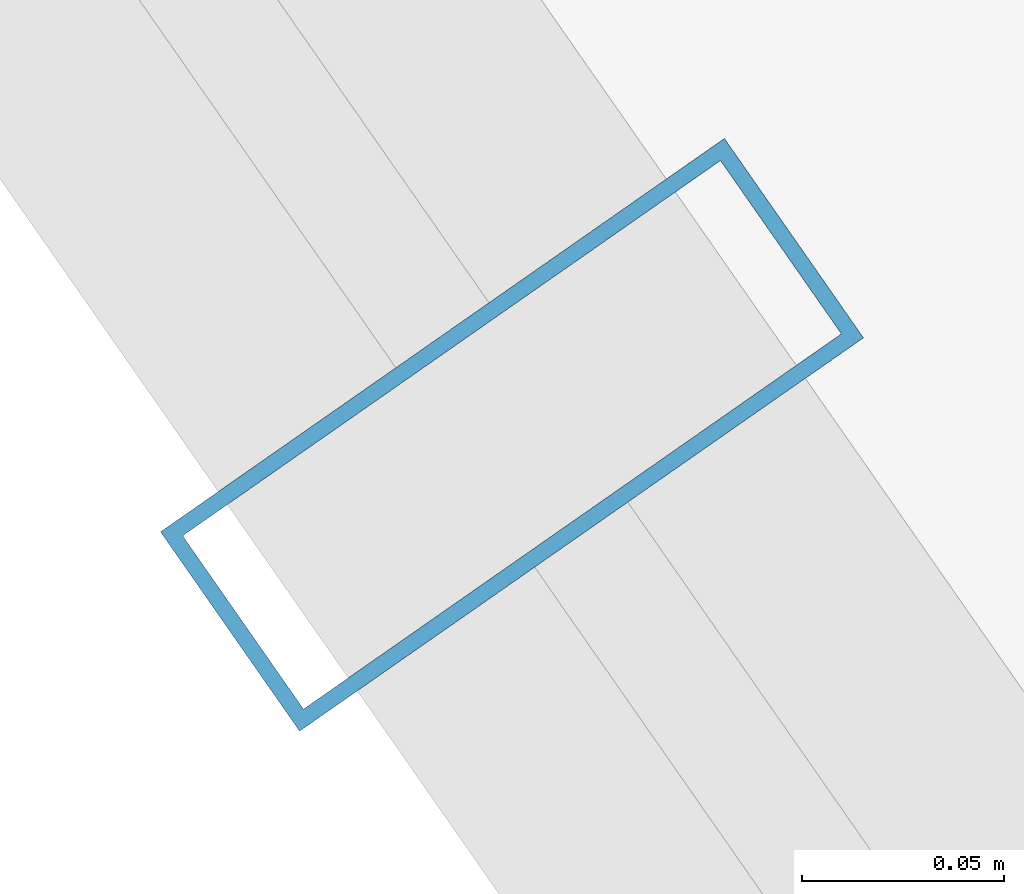
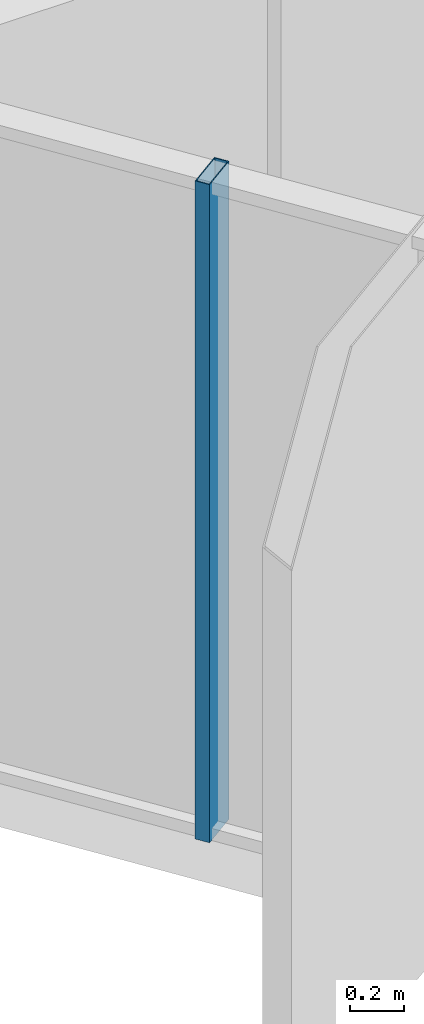
# One storey, part 4 of 37: 1 member, 1 element without a shape of its own.
"""IFC4 building model written with IfcOpenShell, lengths in metres."""

import ifcopenshell
import ifcopenshell.guid

model = None  # the IFC model being written
_history = None  # IfcOwnerHistory: only IFC2X3 demands one
_inside = {}  # id of a spatial element -> (the spatial element, [elements in it])
_under = {}  # id of a project, library or spatial element -> (it, [spatial elements below it])
_declared = {}  # id of a project -> (the project, [libraries it declares])
_typed = {}  # id of a type object -> (the type object, [elements of that type])
_made_of = {}  # id of a material, layer set ... -> (it, [elements and type objects made of it])


def new_model(schema):
    """Start an empty IFC model of exactly this schema.

    Asked for "IFC4X3", IfcOpenShell would pick the latest addendum, in which some entities
    have other attributes; the version numbers below select the first issue.
    IFC2X3 requires an IfcOwnerHistory on every rooted entity: one is made here for all.
    """
    global model, _history
    if schema == "IFC4X3":
        model = ifcopenshell.file(schema_version=(4, 3, 0, 0))
    else:
        model = ifcopenshell.file(schema=schema)
    _inside.clear()
    _under.clear()
    _declared.clear()
    _typed.clear()
    _made_of.clear()
    _history = None
    if model.schema == "IFC2X3":
        org = make("IfcOrganization", Name="unknown")
        user = make(
            "IfcPersonAndOrganization",
            ThePerson=make("IfcPerson", FamilyName="unknown"),
            TheOrganization=org,
        )
        app = make(
            "IfcApplication",
            ApplicationDeveloper=org,
            Version="unknown",
            ApplicationFullName="unknown",
            ApplicationIdentifier="unknown",
        )
        _history = make(
            "IfcOwnerHistory",
            OwningUser=user,
            OwningApplication=app,
            ChangeAction="ADDED",
            CreationDate=0,
        )
    return model


def make(cls, **values):
    """One entity of the class cls with the attributes given. An attribute that is None is left unset."""
    return model.create_entity(
        cls, **{name: value for name, value in values.items() if value is not None}
    )


def rooted(cls, **values):
    """An entity with a GlobalId (a new one), such as an element, a storey or a relation."""
    return make(cls, GlobalId=ifcopenshell.guid.new(), OwnerHistory=_history, **values)


def si_unit(unit_type, name, prefix=None):
    """IfcSIUnit, for example si_unit("LENGTHUNIT", "METRE", prefix="MILLI")."""
    return make("IfcSIUnit", UnitType=unit_type, Prefix=prefix, Name=name)


def assignment(units):
    """IfcUnitAssignment: the units of a project."""
    return None if units is None else make("IfcUnitAssignment", Units=units)


def point(xyz):
    """IfcCartesianPoint."""
    return None if xyz is None else make("IfcCartesianPoint", Coordinates=xyz)


def direction(xyz):
    """IfcDirection."""
    return None if xyz is None else make("IfcDirection", DirectionRatios=xyz)


def frame(location, z_axis=None, x_axis=None):
    """IfcAxis2Placement3D, a coordinate frame: its origin and axes. An axis left out is left unset."""
    return make(
        "IfcAxis2Placement3D",
        Location=point(location),
        Axis=direction(z_axis),
        RefDirection=direction(x_axis),
    )


def frame_2d(location, x_axis=None):
    """IfcAxis2Placement2D, a coordinate frame in the plane: its origin and x axis."""
    return make(
        "IfcAxis2Placement2D", Location=point(location), RefDirection=direction(x_axis)
    )


def origin():
    """The frame at (0, 0, 0) with its axes left unset."""
    return frame((0.0, 0.0, 0.0))


def origin_2d():
    """The frame at (0, 0) in the plane with its x axis left unset."""
    return frame_2d((0.0, 0.0))


def place(relative_to, where):
    """IfcLocalPlacement: puts the frame where relative to a parent placement (None: the world)."""
    return make(
        "IfcLocalPlacement", PlacementRelTo=relative_to, RelativePlacement=where
    )


def context(
    kind, dimensions, precision=None, world=None, true_north=None, identifier=None
):
    """IfcGeometricRepresentationContext, for example the 3D "Model" context."""
    return make(
        "IfcGeometricRepresentationContext",
        ContextIdentifier=identifier,
        ContextType=kind,
        CoordinateSpaceDimension=dimensions,
        Precision=precision,
        WorldCoordinateSystem=world,
        TrueNorth=true_north,
    )


def subcontext(parent, identifier, kind, view, scale=None):
    """IfcGeometricRepresentationSubContext, for example "Body" below "Model"."""
    return make(
        "IfcGeometricRepresentationSubContext",
        ContextIdentifier=identifier,
        ContextType=kind,
        ParentContext=parent,
        TargetScale=scale,
        TargetView=view,
    )


def project(units=None, contexts=None):
    """IfcProject with its units and contexts."""
    return rooted(
        "IfcProject",
        Name="project",
        RepresentationContexts=contexts,
        UnitsInContext=assignment(units),
    )


def spatial(cls, under=None, at=None, **own):
    """A site, building, storey or space (cls), placed at a placement, below another one or the project."""
    s = rooted(cls, ObjectPlacement=at, **own)
    if under is not None:
        _under.setdefault(under.id(), (under, []))[1].append(s)
    return s


def profile(cls, at=None, kind="AREA", **sizes):
    """A parametric profile (cls). Its sizes go by their IFC names, for example OverallWidth=200.0."""
    return make(cls, ProfileType=kind, Position=at, **sizes)


def hollow_rectangle(**sizes):
    """IfcRectangleHollowProfileDef."""
    return profile("IfcRectangleHollowProfileDef", **sizes)


def extrude(swept, where, along, depth):
    """IfcExtrudedAreaSolid: the profile swept, set in the frame where, extruded along a direction by depth."""
    return make(
        "IfcExtrudedAreaSolid",
        SweptArea=swept,
        Position=where,
        ExtrudedDirection=direction(along),
        Depth=depth,
    )


def shape(context_of_items, identifier, shape_type, items):
    """IfcShapeRepresentation: the items that make up one representation, for example the "Body"."""
    return make(
        "IfcShapeRepresentation",
        ContextOfItems=context_of_items,
        RepresentationIdentifier=identifier,
        RepresentationType=shape_type,
        Items=items,
    )


def source(mapping_origin, context_of_items, identifier, shape_type, items):
    """IfcRepresentationMap: a shape defined once, which mapped items show again and again."""
    return make(
        "IfcRepresentationMap",
        MappingOrigin=mapping_origin,
        MappedRepresentation=shape(context_of_items, identifier, shape_type, items),
    )


def transform(
    local_origin,
    x_axis=None,
    y_axis=None,
    z_axis=None,
    scale=None,
    scale2=None,
    scale3=None,
    uniform=True,
):
    """IfcCartesianTransformationOperator3D, or its non-uniform kind. x_axis, y_axis, z_axis: its Axis1, 2, 3."""
    if uniform:
        return make(
            "IfcCartesianTransformationOperator3D",
            Axis1=direction(x_axis),
            Axis2=direction(y_axis),
            LocalOrigin=point(local_origin),
            Scale=scale,
            Axis3=direction(z_axis),
        )
    return make(
        "IfcCartesianTransformationOperator3DnonUniform",
        Axis1=direction(x_axis),
        Axis2=direction(y_axis),
        LocalOrigin=point(local_origin),
        Scale=scale,
        Axis3=direction(z_axis),
        Scale2=scale2,
        Scale3=scale3,
    )


def mapped(mapping_source, mapping_target):
    """IfcMappedItem: shows the shape of a source again, moved by a transform."""
    return make(
        "IfcMappedItem", MappingSource=mapping_source, MappingTarget=mapping_target
    )


def material(Name=None, Category=None):
    """IfcMaterial."""
    return make("IfcMaterial", Name=Name, Category=Category)


def layer(
    of_material, thickness, ventilated=None, Name=None, Category=None, Priority=None
):
    """IfcMaterialLayer: one layer of a wall or slab, of a material (None: an air gap)."""
    return make(
        "IfcMaterialLayer",
        Material=of_material,
        LayerThickness=thickness,
        IsVentilated=ventilated,
        Name=Name,
        Category=Category,
        Priority=Priority,
    )


def layer_set(layers, Name=None):
    """IfcMaterialLayerSet."""
    return make("IfcMaterialLayerSet", MaterialLayers=layers, LayerSetName=Name)


def material_profile(
    of_material, cross_section, Name=None, Category=None, Priority=None
):
    """IfcMaterialProfile: a cross section and its material."""
    return make(
        "IfcMaterialProfile",
        Name=Name,
        Material=of_material,
        Profile=cross_section,
        Priority=Priority,
        Category=Category,
    )


def profile_set(profiles, Name=None, composite=None):
    """IfcMaterialProfileSet."""
    return make(
        "IfcMaterialProfileSet",
        Name=Name,
        MaterialProfiles=profiles,
        CompositeProfile=composite,
    )


def made_of(thing, what):
    """Note that an element or type object is made of a material, layer set ...; save() writes the relation."""
    if what is not None:
        _made_of.setdefault(what.id(), (what, []))[1].append(thing)
    return thing


def type_object(cls, material=None, **own):
    """A type object (cls), such as IfcWallType, which elements share."""
    return made_of(rooted(cls, **own), material)


def element(
    cls,
    number,
    at=None,
    inside=None,
    cuts=None,
    type_object=None,
    material=None,
    context=None,
    identifier="Body",
    shape_type=None,
    held_by="IfcProductDefinitionShape",
    body=None,
    shapes=None,
    **own,
):
    """One element of the class cls, such as IfcWall. Its Tag is "e" and its number.

    at: its placement. inside: the storey or other place that contains it. cuts: it is an
    opening in that element (IfcRelVoidsElement). A single representation is given by context,
    identifier, shape_type and body (its items); several are given by shapes. held_by: the class
    of the entity that holds the representations. save() writes the other relations.
    """
    e = rooted(cls, Tag="e%d" % number, ObjectPlacement=at, **own)
    if body is not None:
        shapes = [shape(context, identifier, shape_type, body)]
    if shapes is not None:
        e.Representation = make(held_by, Representations=shapes)
    if inside is not None:
        _inside.setdefault(inside.id(), (inside, []))[1].append(e)
    if cuts is not None:
        rooted(
            "IfcRelVoidsElement", RelatingBuildingElement=cuts, RelatedOpeningElement=e
        )
    if type_object is not None:
        _typed.setdefault(type_object.id(), (type_object, []))[1].append(e)
    return made_of(e, material)


def aggregate(whole, parts):
    """IfcRelAggregates: a whole, such as a stair, and the parts it consists of."""
    return rooted("IfcRelAggregates", RelatingObject=whole, RelatedObjects=parts)


def save(model, path):
    """Write the relations noted so far, then the file.

    IfcRelAggregates (storeys below a building ...), IfcRelContainedInSpatialStructure (elements
    in a storey), IfcRelDefinesByType, IfcRelAssociatesMaterial and IfcRelDeclares: one each for
    every whole, place, type object, material and project.
    """
    for whole, parts in _under.values():
        aggregate(whole, parts)
    for where, things in _inside.values():
        rooted(
            "IfcRelContainedInSpatialStructure",
            RelatedElements=things,
            RelatingStructure=where,
        )
    for kind, things in _typed.values():
        rooted("IfcRelDefinesByType", RelatedObjects=things, RelatingType=kind)
    for what, things in _made_of.values():
        rooted("IfcRelAssociatesMaterial", RelatedObjects=things, RelatingMaterial=what)
    for by, libraries in _declared.values():
        rooted("IfcRelDeclares", RelatingContext=by, RelatedDefinitions=libraries)
    model.write(path)


model = new_model("IFC4")

# Units and contexts
model_context = context("Model", 3, precision=1e-05, world=origin(), true_north=direction((0.0, 1.0)))
body_context = subcontext(model_context, "Body", "Model", "MODEL_VIEW")
ifc_project = project(units=[si_unit("LENGTHUNIT", "METRE"), si_unit("AREAUNIT", "SQUARE_METRE"), si_unit("VOLUMEUNIT", "CUBIC_METRE"), si_unit("PLANEANGLEUNIT", "RADIAN"), si_unit("MASSUNIT", "GRAM", prefix="KILO")], contexts=[model_context])

# Site, building, storey
site_placement = place(None, origin())
site = spatial("IfcSite", under=ifc_project, at=site_placement, CompositionType="ELEMENT")
building_placement = place(site_placement, origin())
building = spatial("IfcBuilding", under=site, at=building_placement, Name="Veraguas Prism Commons", CompositionType="ELEMENT")
storey_placement = place(building_placement, frame((0.0, 0.0, 40.300048828125)))
storey = spatial("IfcBuildingStorey", under=building, at=storey_placement, Name="L10", CompositionType="ELEMENT", Elevation=40.300048828125)

# Curtain wall, member
ifc_material = material(Name="Anodised aluminium EN AW-6063 T6", Category="aluminium")
ifc_layer = layer(ifc_material, 0.169921875, Name="Unitised Flush Curtain Wall Zone 1", Category="aluminium")
ifc_layer_set = layer_set([ifc_layer], Name="Anodised aluminium EN AW-6063 T6")
curtain_wall_type = type_object("IfcCurtainWallType", Name="Unitised Flush Curtain Wall Zone 1", PredefinedType="NOTDEFINED", material=ifc_layer_set)
curtain_wall_placement = place(storey_placement, origin())
curtain_wall = element("IfcCurtainWall", 1, at=curtain_wall_placement, inside=storey, type_object=curtain_wall_type, Name="Tower Facade Curtain Wall L10-F4", PredefinedType="NOTDEFINED")
ifc_material_profile = material_profile(ifc_material, hollow_rectangle(XDim=0.06005859375, YDim=0.169921875, WallThickness=0.00390625, at=origin_2d()), Name="AL60X170X4")
ifc_profile_set = profile_set([ifc_material_profile], Name="Anodised aluminium EN AW-6063 T6")
member_type = type_object("IfcMemberType", Name="Curtain Wall Mullion Lower AL 60x170x4", PredefinedType="MULLION", material=ifc_profile_set)
shared_shape = source(origin(), body_context, "Body", "SweptSolid", [
    extrude(hollow_rectangle(XDim=0.06005859375, YDim=0.169921875, WallThickness=0.00390625, at=origin_2d()), origin(), (0.0, 0.0, 1.0), 3.0),
])
member_placement = place(storey_placement, frame((4.281005859375, 15.939208984375, 0.0), z_axis=(0.0, 0.0, 1.0), x_axis=(0.572145873446, -0.820151875874, 0.0)))
member = element("IfcMember", 2, at=member_placement, type_object=member_type, Name="CW-Z1 Mullion 2", PredefinedType="MULLION", context=body_context, shape_type="MappedRepresentation", body=[
    mapped(shared_shape, transform((0.0, 0.0, 0.0), scale=1.0)),
])
aggregate(curtain_wall, [member])

save(model, "model.ifc")
